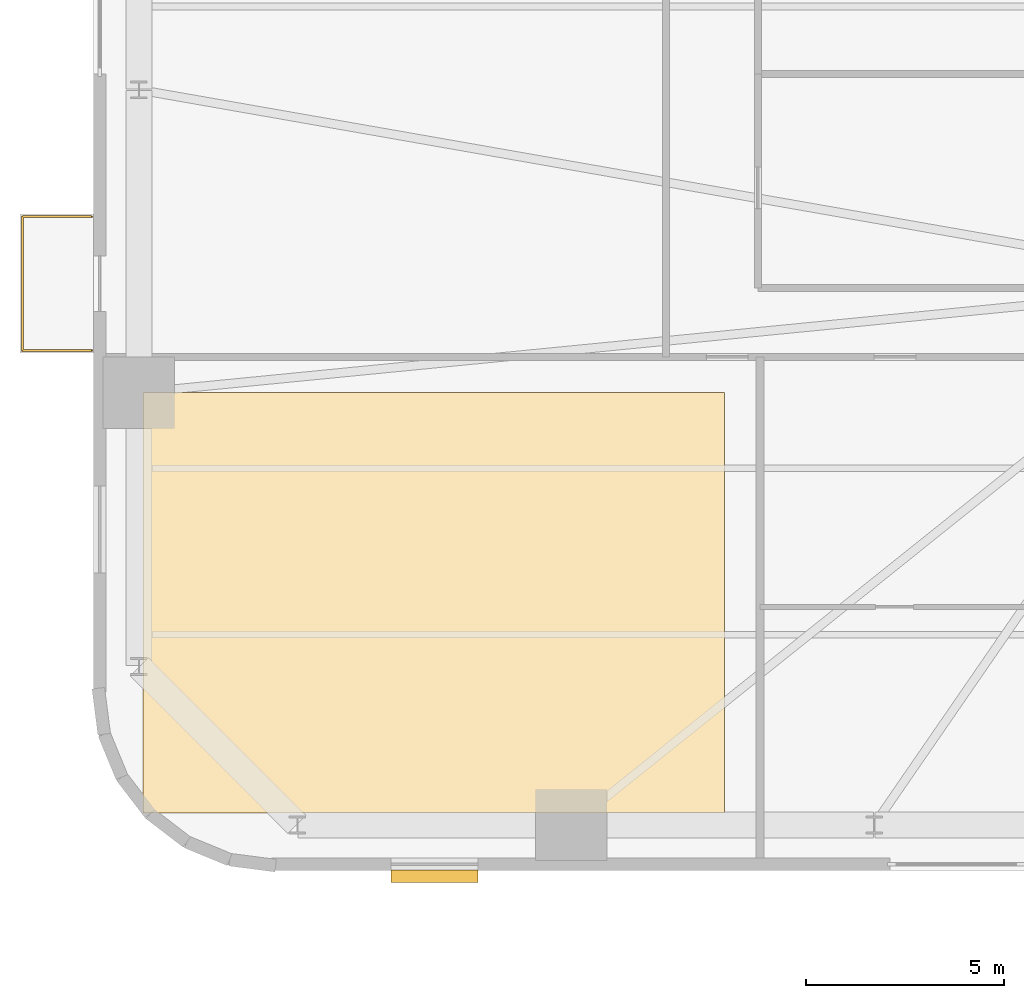
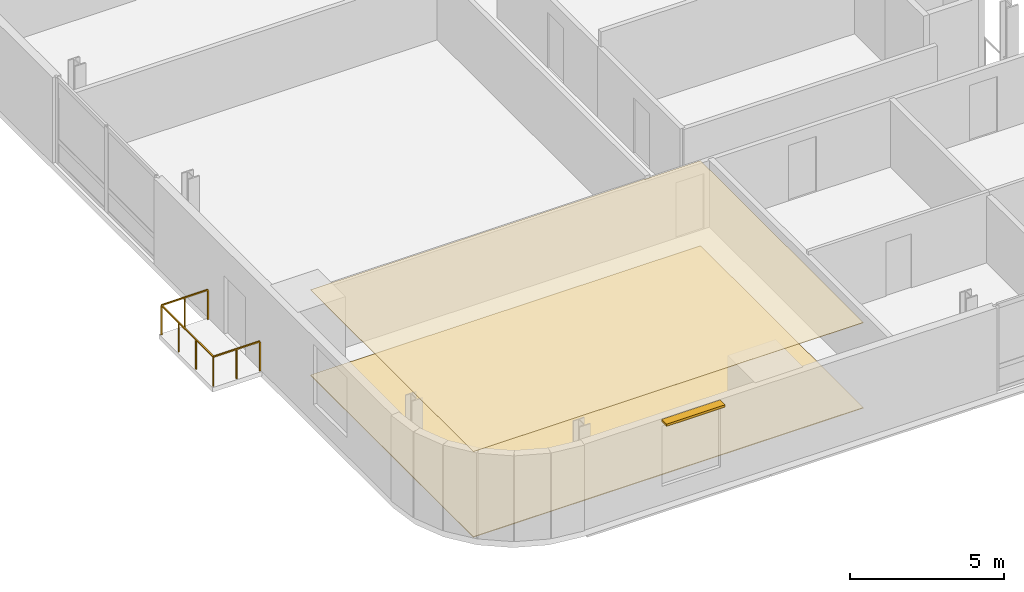
# One storey, part 10 of 13: 2 coverings, 1 railing, 1 shading device.
"""IFC4 building model written with IfcOpenShell, lengths in metres."""

from ifc_helpers import new_model, si_unit, direction, frame, origin, origin_2d, place, context, subcontext, project, spatial, polyline, rectangle, outline, extrude, source, transform, mapped, material, layer, layer_set, type_object, element, save


model = new_model("IFC4")

# Units and contexts
model_context = context("Model", 3, precision=1e-05, world=origin(), true_north=direction((0.0, 1.0)))
body_context = subcontext(model_context, "Body", "Model", "MODEL_VIEW")
ifc_project = project(units=[si_unit("LENGTHUNIT", "METRE"), si_unit("AREAUNIT", "SQUARE_METRE"), si_unit("VOLUMEUNIT", "CUBIC_METRE"), si_unit("PLANEANGLEUNIT", "RADIAN"), si_unit("MASSUNIT", "GRAM", prefix="KILO")], contexts=[model_context])

# Site, building, storey
site_placement = place(None, origin())
site = spatial("IfcSite", under=ifc_project, at=site_placement, CompositionType="ELEMENT")
building_placement = place(site_placement, origin())
building = spatial("IfcBuilding", under=site, at=building_placement, Name="Vardaveli Station Tower", CompositionType="ELEMENT")
storey_placement = place(building_placement, frame((0.0, 0.0, 75.050048828125)))
storey = spatial("IfcBuildingStorey", under=building, at=storey_placement, Name="L19", CompositionType="ELEMENT", Elevation=75.050048828125)

# Coverings
ifc_material_1 = material(Name="Perforated acoustic mineral ceiling")
ifc_layer_1 = layer(ifc_material_1, 0.02001953125, Name="Perforated acoustic mineral ceiling")
ifc_layer_set_1 = layer_set([ifc_layer_1], Name="Perforated acoustic mineral ceiling")
covering_type_1 = type_object("IfcCoveringType", Name="COV-CEIL-AC20", PredefinedType="CEILING", material=ifc_layer_set_1)
covering_1_placement = place(storey_placement, frame((0.0, 0.0, 3.39501953125)))
element("IfcCovering", 1, at=covering_1_placement, inside=storey, type_object=covering_type_1, Name="CEIL-L19-1", PredefinedType="CEILING", context=body_context, shape_type="SweptSolid", body=[
    extrude(outline(polyline([(3.35009765625, 3.25), (18.02001953125, 3.25), (18.02001953125, 13.860107421875), (3.35009765625, 13.860107421875), (3.35009765625, 3.25)])), origin(), (0.0, 0.0, 1.0), 0.02001953125),
])
ifc_material_2 = material(Name="Honed Caucasian basalt and travertine flooring", Category="masonry")
ifc_layer_2 = layer(ifc_material_2, 0.030029296875, Name="Honed Caucasian basalt and travertine flooring")
ifc_layer_set_2 = layer_set([ifc_layer_2], Name="Honed Caucasian basalt and travertine flooring")
covering_type_2 = type_object("IfcCoveringType", Name="COV-FLOOR-ST30", PredefinedType="FLOORING", material=ifc_layer_set_2)
covering_2_placement = place(storey_placement, origin())
element("IfcCovering", 2, at=covering_2_placement, inside=storey, type_object=covering_type_2, Name="FLR-L19-1", PredefinedType="FLOORING", context=body_context, shape_type="SweptSolid", body=[
    extrude(outline(polyline([(3.35009765625, 3.25), (18.02001953125, 3.25), (18.02001953125, 13.860107421875), (3.35009765625, 13.860107421875), (3.35009765625, 3.25)])), origin(), (0.0, 0.0, 1.0), 0.030029296875),
])

# Railing
ifc_material_3 = material(Name="Laminated glass and stainless steel balustrade", Category="steel")
railing_type = type_object("IfcRailingType", Name="RL-BAL-1200", PredefinedType="BALUSTRADE", material=ifc_material_3)
shared_shape_1 = source(origin(), body_context, "Body", "SweptSolid", [
    extrude(rectangle(XDim=0.048095703125, YDim=0.048095703125, at=origin_2d()), frame((0.0, 0.0, 1.17578125), z_axis=(-1.0, 0.0, 0.0), x_axis=(0.0, -1.0, 0.0)), (0.0, 0.0, 1.0), 1.75),
    extrude(rectangle(XDim=0.048095703125, YDim=0.048095703125, at=origin_2d()), frame((-1.75, 0.0, 1.17578125), z_axis=(0.0, 1.0, 0.0), x_axis=(-1.0, 0.0, 0.0)), (0.0, 0.0, 1.0), 3.3798828125),
    extrude(rectangle(XDim=0.048095703125, YDim=0.048095703125, at=origin_2d()), frame((-1.75, 3.3798828125, 1.17578125), z_axis=(1.0, 0.0, 0.0), x_axis=(0.0, 1.0, 0.0)), (0.0, 0.0, 1.0), 1.75),
    extrude(rectangle(XDim=0.0419921875, YDim=0.0419921875, at=origin_2d()), origin(), (0.0, 0.0, 1.0), 1.15185546875),
    extrude(rectangle(XDim=0.0419921875, YDim=0.0419921875, at=origin_2d()), frame((-0.875, 0.0, 0.0)), (0.0, 0.0, 1.0), 1.15185546875),
    extrude(rectangle(XDim=0.0419921875, YDim=0.0419921875, at=origin_2d()), frame((-1.75, 0.0, 0.0)), (0.0, 0.0, 1.0), 1.15185546875),
    extrude(rectangle(XDim=0.0419921875, YDim=0.0419921875, at=origin_2d()), frame((-1.75, 1.126708984375, 0.0)), (0.0, 0.0, 1.0), 1.15185546875),
    extrude(rectangle(XDim=0.0419921875, YDim=0.0419921875, at=origin_2d()), frame((-1.75, 2.253173828125, 0.0)), (0.0, 0.0, 1.0), 1.15185546875),
    extrude(rectangle(XDim=0.0419921875, YDim=0.0419921875, at=origin_2d()), frame((-1.75, 3.3798828125, 0.0)), (0.0, 0.0, 1.0), 1.15185546875),
    extrude(rectangle(XDim=0.0419921875, YDim=0.0419921875, at=origin_2d()), frame((-0.875, 3.3798828125, 0.0)), (0.0, 0.0, 1.0), 1.15185546875),
    extrude(rectangle(XDim=0.0419921875, YDim=0.0419921875, at=origin_2d()), frame((0.0, 3.3798828125, 0.0)), (0.0, 0.0, 1.0), 1.15185546875),
])
railing_placement = place(storey_placement, frame((2.06005859375, 14.92041015625, 0.0)))
element("IfcRailing", 3, at=railing_placement, inside=storey, type_object=railing_type, Name="RL-LOG-L19-03", PredefinedType="BALUSTRADE", context=body_context, shape_type="MappedRepresentation", body=[
    mapped(shared_shape_1, transform((0.0, 0.0, 0.0), scale=1.0)),
])

# Shading device
ifc_material_4 = material(Name="Anodised champagne aluminium sunshade", Category="aluminium")
ifc_layer_3 = layer(ifc_material_4, 0.090087890625, Name="Anodised champagne aluminium sunshade")
ifc_layer_set_3 = layer_set([ifc_layer_3], Name="Anodised champagne aluminium sunshade")
shading_device_type = type_object("IfcShadingDeviceType", Name="SHD-SUNSHADE", PredefinedType="USERDEFINED", material=ifc_layer_set_3)
shared_shape_2 = source(origin(), body_context, "Body", "SweptSolid", [
    extrude(rectangle(XDim=2.199951171875, YDim=0.320068359375, at=origin_2d()), origin(), (0.0, 0.0, 1.0), 0.090087890625),
])
shading_device_placement = place(storey_placement, frame((10.705078125, 1.655029296875, 3.2900390625), z_axis=(0.0, 0.0, 1.0), x_axis=(1.0, 0.0, 0.0)))
element("IfcShadingDevice", 4, at=shading_device_placement, inside=storey, type_object=shading_device_type, Name="SHD-SS-L19-S", ObjectType="SUNSHADE", PredefinedType="USERDEFINED", context=body_context, shape_type="MappedRepresentation", body=[
    mapped(shared_shape_2, transform((0.0, 0.0, 0.0), scale=1.0)),
])

save(model, "model.ifc")
